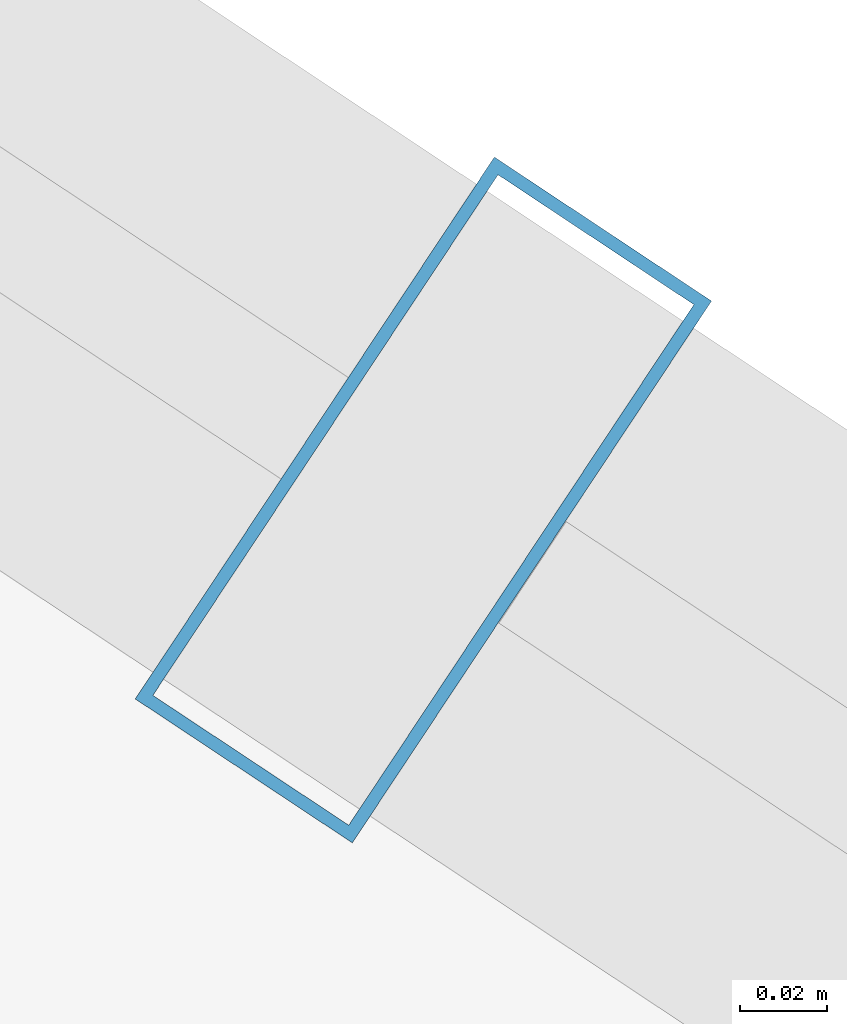
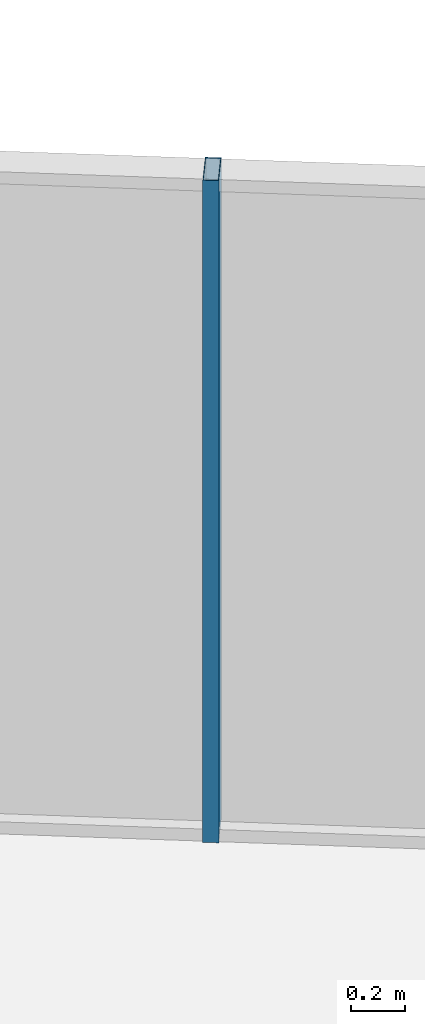
# One storey, part 21 of 29: 1 member, 1 element without a shape of its own.
"""IFC4 building model written with IfcOpenShell, lengths in metres."""

from ifc_helpers import new_model, si_unit, direction, frame, origin, origin_2d, place, context, subcontext, project, spatial, hollow_rectangle, extrude, source, transform, mapped, material, layer, layer_set, material_profile, profile_set, type_object, element, aggregate, save


model = new_model("IFC4")

# Units and contexts
model_context = context("Model", 3, precision=1e-05, world=origin(), true_north=direction((0.0, 1.0)))
body_context = subcontext(model_context, "Body", "Model", "MODEL_VIEW")
ifc_project = project(units=[si_unit("LENGTHUNIT", "METRE"), si_unit("AREAUNIT", "SQUARE_METRE"), si_unit("VOLUMEUNIT", "CUBIC_METRE"), si_unit("PLANEANGLEUNIT", "RADIAN"), si_unit("MASSUNIT", "GRAM", prefix="KILO")], contexts=[model_context])

# Site, building, storey
site_placement = place(None, origin())
site = spatial("IfcSite", under=ifc_project, at=site_placement, CompositionType="ELEMENT")
building_placement = place(site_placement, origin())
building = spatial("IfcBuilding", under=site, at=building_placement, Name="Veraguas Prism Commons", CompositionType="ELEMENT")
storey_placement = place(building_placement, frame((0.0, 0.0, 218.89990234375)))
storey = spatial("IfcBuildingStorey", under=building, at=storey_placement, Name="L62", CompositionType="ELEMENT", Elevation=218.89990234375)

# Curtain wall, member
ifc_material = material(Name="Anodised aluminium EN AW-6063 T6", Category="aluminium")
ifc_layer = layer(ifc_material, 0.14990234375, Name="Unitised Flush Curtain Wall Zone 3", Category="aluminium")
ifc_layer_set = layer_set([ifc_layer], Name="Anodised aluminium EN AW-6063 T6")
curtain_wall_type = type_object("IfcCurtainWallType", Name="Unitised Flush Curtain Wall Zone 3", PredefinedType="NOTDEFINED", material=ifc_layer_set)
curtain_wall_placement = place(storey_placement, origin())
curtain_wall = element("IfcCurtainWall", 1, at=curtain_wall_placement, inside=storey, type_object=curtain_wall_type, Name="Tower Facade Curtain Wall L62-F1", PredefinedType="NOTDEFINED")
ifc_material_profile = material_profile(ifc_material, hollow_rectangle(XDim=0.06005859375, YDim=0.14990234375, WallThickness=0.0029296875, at=origin_2d()), Name="AL60X150X3")
ifc_profile_set = profile_set([ifc_material_profile], Name="Anodised aluminium EN AW-6063 T6")
member_type = type_object("IfcMemberType", Name="Curtain Wall Mullion Upper AL 60x150x3", PredefinedType="MULLION", material=ifc_profile_set)
shared_shape = source(origin(), body_context, "Body", "SweptSolid", [
    extrude(hollow_rectangle(XDim=0.06005859375, YDim=0.14990234375, WallThickness=0.0029296875, at=origin_2d()), origin(), (0.0, 0.0, 1.0), 3.01513671875),
])
member_placement = place(storey_placement, frame((33.78515625, 38.761474609375, 0.0), z_axis=(0.0, 0.0, 1.0), x_axis=(-0.833503187151, 0.552514648683, 0.0)))
member = element("IfcMember", 2, at=member_placement, type_object=member_type, Name="CW-Z3 Mullion 3", PredefinedType="MULLION", context=body_context, shape_type="MappedRepresentation", body=[
    mapped(shared_shape, transform((0.0, 0.0, 0.0), scale=1.0)),
])
aggregate(curtain_wall, [member])

save(model, "model.ifc")
